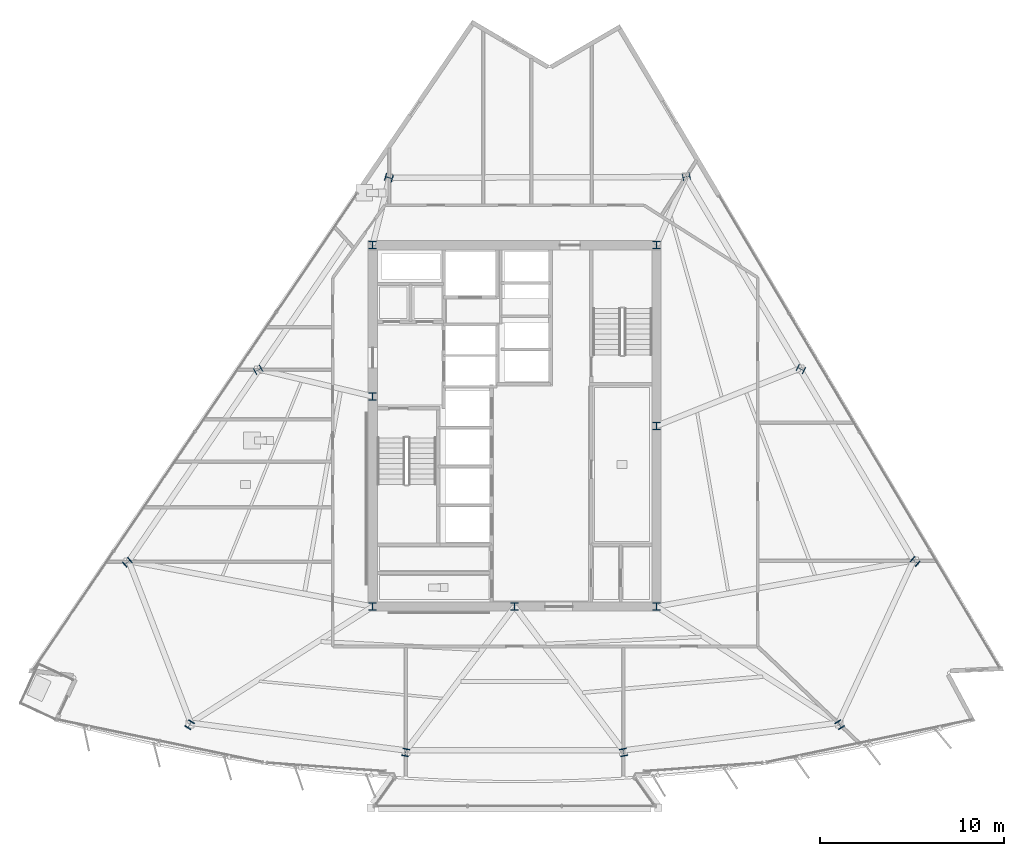
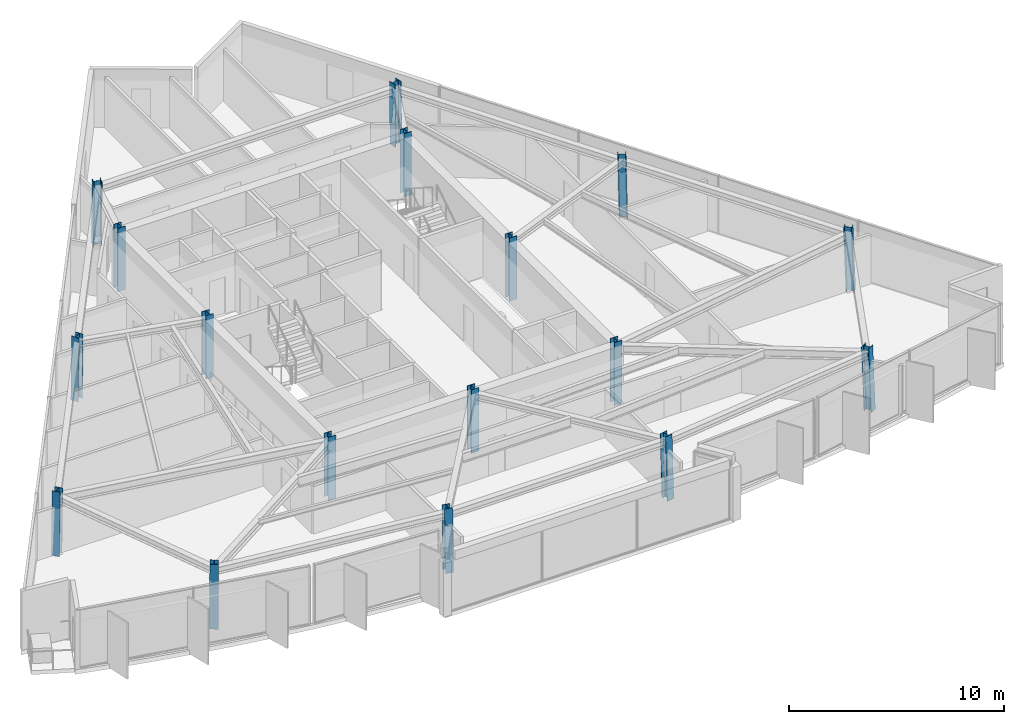
# One storey, part 1 of 15: 17 columns.
"""IFC4 building model written with IfcOpenShell, lengths in metres."""

from ifc_helpers import new_model, si_unit, direction, frame, origin, origin_2d, place, context, subcontext, project, spatial, i_section, extrude, material, material_profile, profile_set, type_object, element, save


model = new_model("IFC4")

# Units and contexts
model_context = context("Model", 3, precision=1e-05, world=origin(), true_north=direction((0.0, 1.0)))
body_context = subcontext(model_context, "Body", "Model", "MODEL_VIEW")
ifc_project = project(units=[si_unit("LENGTHUNIT", "METRE"), si_unit("AREAUNIT", "SQUARE_METRE"), si_unit("VOLUMEUNIT", "CUBIC_METRE"), si_unit("PLANEANGLEUNIT", "RADIAN"), si_unit("MASSUNIT", "GRAM", prefix="KILO")], contexts=[model_context])

# Site, building, storey
site_placement = place(None, origin())
site = spatial("IfcSite", under=ifc_project, at=site_placement, CompositionType="ELEMENT")
building_placement = place(site_placement, origin())
building = spatial("IfcBuilding", under=site, at=building_placement, Name="Savorim Split Tower", CompositionType="ELEMENT")
storey_placement = place(building_placement, frame((0.0, 0.0, 163.800048828125)))
storey = spatial("IfcBuildingStorey", under=building, at=storey_placement, Name="L43", CompositionType="ELEMENT", Elevation=163.800048828125)

# Columns
ifc_material = material(Name="Steel S460", Category="steel")
ifc_material_profile_1 = material_profile(ifc_material, i_section(OverallWidth=0.40087890625, OverallDepth=0.39892578125, WebThickness=0.015625, FlangeThickness=0.02490234375, FilletRadius=0.014892578125, at=origin_2d()), Name="HD 400x314")
ifc_profile_set_1 = profile_set([ifc_material_profile_1], Name="Steel S460")
column_type_1 = type_object("IfcColumnType", Name="COL-HD-314", PredefinedType="COLUMN", material=ifc_profile_set_1)
column_1_placement = place(storey_placement, frame((-17.63671875, -15.826416015625, 0.00537109375), z_axis=(0.020662834962, 0.033509136961, 0.999224792022), x_axis=(-0.851183725565, 0.524867855115, 0.0)))
element("IfcColumn", 1, at=column_1_placement, inside=storey, type_object=column_type_1, Name="L43 Tapered Perimeter Column PC-S1", PredefinedType="COLUMN", context=body_context, shape_type="SweptSolid", body=[
    extrude(i_section(OverallWidth=0.40087890625, OverallDepth=0.39892578125, WebThickness=0.015625, FlangeThickness=0.02490234375, FilletRadius=0.014892578125, at=origin_2d()), origin(), (0.0, 0.0, 1.0), 3.591796875),
])
for number, where, z_axis, x_axis, name in (
    (2, (-5.910888671875, -17.331787109375, 0.00537109375), (0.00693381708, 0.03528089279, 0.999353381334), (-0.981229659911, 0.192842823335, 0.0), "L43 Tapered Perimeter Column PC-S2"),
    (3, (5.910888671875, -17.331787109375, 0.00537109375), (-0.00693381708, 0.03528089279, 0.999353381334), (-0.981229659911, -0.192842823335, 0.0), "L43 Tapered Perimeter Column PC-S3"),
):
    element("IfcColumn", number, at=place(storey_placement, frame(where, z_axis=z_axis, x_axis=x_axis)), inside=storey, type_object=column_type_1, Name=name, PredefinedType="COLUMN", context=body_context, shape_type="SweptSolid", body=[
        extrude(i_section(OverallWidth=0.40087890625, OverallDepth=0.39892578125, WebThickness=0.015625, FlangeThickness=0.02490234375, FilletRadius=0.014892578125, at=origin_2d()), origin(), (0.0, 0.0, 1.0), 3.591552734375),
    ])
column_2_placement = place(storey_placement, frame((17.63671875, -15.826416015625, 0.00537109375), z_axis=(-0.020662834962, 0.033509136961, 0.999224792022), x_axis=(-0.851183725565, -0.524867855115, 0.0)))
element("IfcColumn", 4, at=column_2_placement, inside=storey, type_object=column_type_1, Name="L43 Tapered Perimeter Column PC-S4", PredefinedType="COLUMN", context=body_context, shape_type="SweptSolid", body=[
    extrude(i_section(OverallWidth=0.40087890625, OverallDepth=0.39892578125, WebThickness=0.015625, FlangeThickness=0.02490234375, FilletRadius=0.014892578125, at=origin_2d()), origin(), (0.0, 0.0, 1.0), 3.591796875),
])
column_3_placement = place(storey_placement, frame((21.73583984375, -6.965087890625, 0.00537109375), z_axis=(-0.026105663043, 0.021618752208, 0.999425396871), x_axis=(-0.637813971185, -0.770190455771, 0.0)))
element("IfcColumn", 5, at=column_3_placement, inside=storey, type_object=column_type_1, Name="L43 Tapered Perimeter Column PC-E1", PredefinedType="COLUMN", context=body_context, shape_type="SweptSolid", body=[
    extrude(i_section(OverallWidth=0.40087890625, OverallDepth=0.39892578125, WebThickness=0.015625, FlangeThickness=0.02490234375, FilletRadius=0.014892578125, at=origin_2d()), origin(), (0.0, 0.0, 1.0), 3.591064453125),
])
column_4_placement = place(storey_placement, frame((15.529052734375, 3.473388671875, 0.00537109375), z_axis=(-0.018974023902, 0.009521015578, 0.999774642947), x_axis=(-0.44849454954, -0.893785566583, 0.0)))
element("IfcColumn", 6, at=column_4_placement, inside=storey, type_object=column_type_1, Name="L43 Tapered Perimeter Column PC-E2", PredefinedType="COLUMN", context=body_context, shape_type="SweptSolid", body=[
    extrude(i_section(OverallWidth=0.40087890625, OverallDepth=0.39892578125, WebThickness=0.015625, FlangeThickness=0.02490234375, FilletRadius=0.014892578125, at=origin_2d()), origin(), (0.0, 0.0, 1.0), 3.58984375),
])
for number, where, z_axis, x_axis, name in (
    (7, (9.322021484375, 13.91162109375, 0.00537109375), (-0.011767054935, -0.002516653368, 0.999927598816), (0.209143047003, -0.977885057607, 0.0), "L43 Tapered Perimeter Column PC-E3"),
    (8, (-6.81982421875, 13.86279296875, 0.00537109375), (0.008842562123, -0.00251672922, 0.999957736691), (0.273743828055, 0.961802639112, 0.0), "L43 Tapered Perimeter Column PC-W1"),
):
    element("IfcColumn", number, at=place(storey_placement, frame(where, z_axis=z_axis, x_axis=x_axis)), inside=storey, type_object=column_type_1, Name=name, PredefinedType="COLUMN", context=body_context, shape_type="SweptSolid", body=[
        extrude(i_section(OverallWidth=0.40087890625, OverallDepth=0.39892578125, WebThickness=0.015625, FlangeThickness=0.02490234375, FilletRadius=0.014892578125, at=origin_2d()), origin(), (0.0, 0.0, 1.0), 3.58935546875),
    ])
column_5_placement = place(storey_placement, frame((-13.9208984375, 3.424560546875, 0.00537109375), z_axis=(0.017070406608, 0.009521342331, 0.99980895438), x_axis=(-0.487119351792, 0.873335409284, 0.0)))
element("IfcColumn", 9, at=column_5_placement, inside=storey, type_object=column_type_1, Name="L43 Tapered Perimeter Column PC-W2", PredefinedType="COLUMN", context=body_context, shape_type="SweptSolid", body=[
    extrude(i_section(OverallWidth=0.40087890625, OverallDepth=0.39892578125, WebThickness=0.015625, FlangeThickness=0.02490234375, FilletRadius=0.014892578125, at=origin_2d()), origin(), (0.0, 0.0, 1.0), 3.58984375),
])
column_6_placement = place(storey_placement, frame((-21.021728515625, -7.013916015625, 0.00537109375), z_axis=(0.025222449659, 0.021619242565, 0.999448065876), x_axis=(-0.650791373456, 0.759256602365, 0.0)))
element("IfcColumn", 10, at=column_6_placement, inside=storey, type_object=column_type_1, Name="L43 Tapered Perimeter Column PC-W3", PredefinedType="COLUMN", context=body_context, shape_type="SweptSolid", body=[
    extrude(i_section(OverallWidth=0.40087890625, OverallDepth=0.39892578125, WebThickness=0.015625, FlangeThickness=0.02490234375, FilletRadius=0.014892578125, at=origin_2d()), origin(), (0.0, 0.0, 1.0), 3.591064453125),
])
ifc_material_profile_2 = material_profile(ifc_material, i_section(OverallWidth=0.404052734375, OverallDepth=0.406982421875, WebThickness=0.017333984375, FlangeThickness=0.028076171875, FilletRadius=0.014892578125, at=origin_2d()), Name="HD 400x347")
ifc_profile_set_2 = profile_set([ifc_material_profile_2], Name="Steel S460")
column_type_2 = type_object("IfcColumnType", Name="COL-HD-347", PredefinedType="COLUMN", material=ifc_profile_set_2)
for number, where, z_axis, x_axis, name in (
    (11, (-7.699951171875, -9.39990234375, 0.0), (0.0, 0.0, 1.0), (1.0, 0.0, 0.0), "L43 Core Structural Column TC-C1"),
    (12, (7.699951171875, -9.39990234375, 0.0), (0.0, 0.0, 1.0), (1.0, 0.0, 0.0), "L43 Core Structural Column TC-C2"),
    (13, (7.699951171875, 10.199951171875, 0.0), (0.0, 0.0, 1.0), (1.0, 0.0, 0.0), "L43 Core Structural Column TC-C3"),
    (14, (-7.699951171875, 10.199951171875, 0.0), (0.0, 0.0, 1.0), (1.0, 0.0, 0.0), "L43 Core Structural Column TC-C4"),
    (15, (0.0, -9.39990234375, 0.0), (0.0, 0.0, 1.0), (1.0, 0.0, 0.0), "L43 Core Structural Column TC-C5"),
    (16, (7.699951171875, 0.39990234375, 0.0), (0.0, 0.0, 1.0), (1.0, 0.0, 0.0), "L43 Core Structural Column TC-C6"),
    (17, (-7.699951171875, 2.0, 0.0), (0.0, 0.0, 1.0), (1.0, 0.0, 0.0), "L43 Core Structural Column TC-C7"),
):
    element("IfcColumn", number, at=place(storey_placement, frame(where, z_axis=z_axis, x_axis=x_axis)), inside=storey, type_object=column_type_2, Name=name, PredefinedType="COLUMN", context=body_context, shape_type="SweptSolid", body=[
        extrude(i_section(OverallWidth=0.404052734375, OverallDepth=0.406982421875, WebThickness=0.017333984375, FlangeThickness=0.028076171875, FilletRadius=0.014892578125, at=origin_2d()), origin(), (0.0, 0.0, 1.0), 3.599853515625),
    ])

save(model, "model.ifc")
